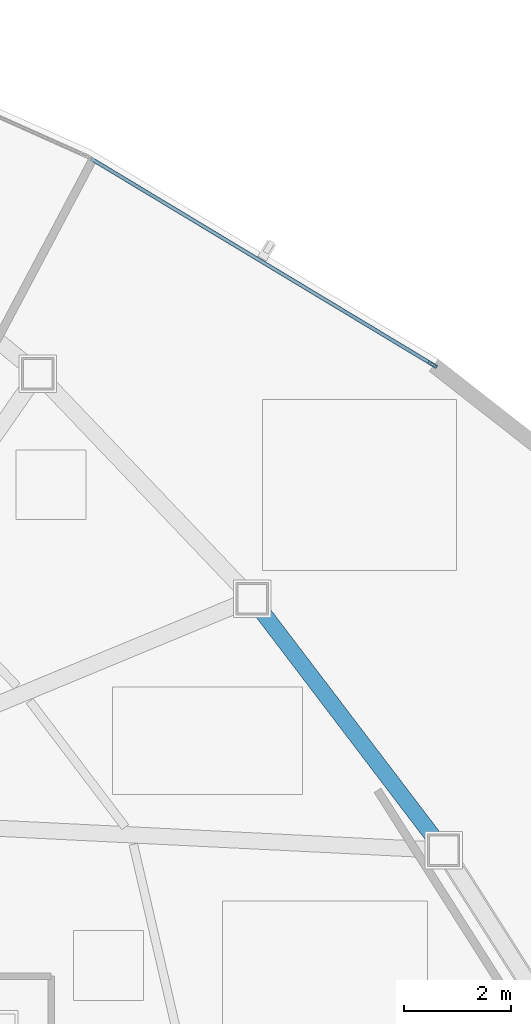
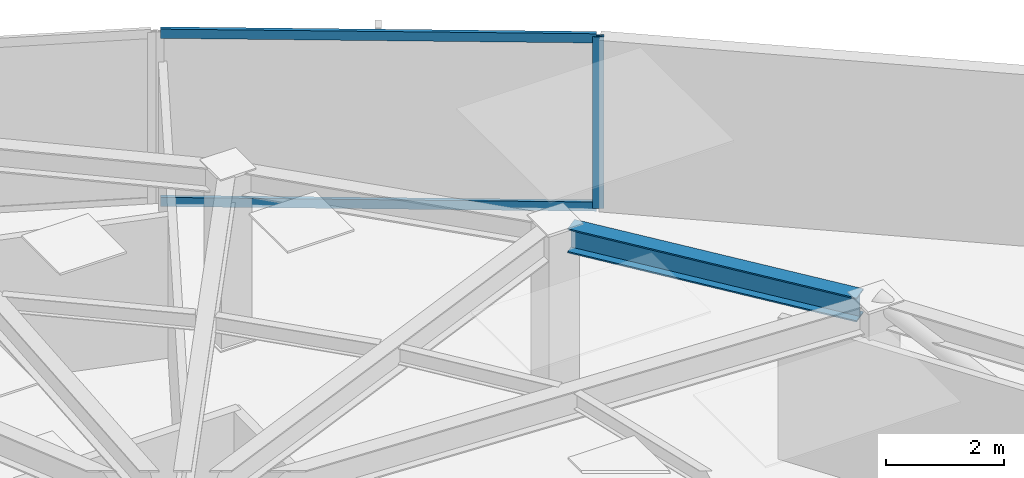
# One storey, part 9 of 17: 3 members, 1 beam, 1 element without a shape of its own.
"""IFC4 building model written with IfcOpenShell, lengths in metres."""

from ifc_helpers import new_model, si_unit, direction, frame, origin, origin_2d, place, context, subcontext, project, spatial, hollow_rectangle, i_section, extrude, source, transform, mapped, material, layer, layer_set, material_profile, profile_set, type_object, type_shapes, element, aggregate, save


model = new_model("IFC4")

# Units and contexts
model_context = context("Model", 3, precision=1e-05, world=origin(), true_north=direction((0.0, 1.0)))
body_context = subcontext(model_context, "Body", "Model", "MODEL_VIEW")
ifc_project = project(units=[si_unit("LENGTHUNIT", "METRE"), si_unit("AREAUNIT", "SQUARE_METRE"), si_unit("VOLUMEUNIT", "CUBIC_METRE"), si_unit("PLANEANGLEUNIT", "RADIAN"), si_unit("MASSUNIT", "GRAM", prefix="KILO")], contexts=[model_context])

# Site, building, storey
site_placement = place(None, origin())
site = spatial("IfcSite", under=ifc_project, at=site_placement, CompositionType="ELEMENT")
building_placement = place(site_placement, origin())
building = spatial("IfcBuilding", under=site, at=building_placement, Name="Tavelor Broadcast Tower", CompositionType="ELEMENT")
storey_placement = place(building_placement, frame((0.0, 0.0, 169.5)))
storey = spatial("IfcBuildingStorey", under=building, at=storey_placement, Name="L40", CompositionType="ELEMENT", Elevation=169.5)

# Beam
ifc_material_1 = material(Name="Steel S355", Category="steel")
ifc_material_profile_1 = material_profile(ifc_material_1, i_section(OverallWidth=0.300048828125, OverallDepth=0.5, WebThickness=0.014404296875, FlangeThickness=0.028076171875, at=origin_2d()), Name="HEB 500")
ifc_profile_set_1 = profile_set([ifc_material_profile_1], Name="Steel S355")
beam_type = type_object("IfcBeamType", Name="Perimeter Spandrel Beam T4 HEB 500", PredefinedType="SPANDREL", material=ifc_profile_set_1)
beam_placement = place(storey_placement, frame((69.711669921875, 50.7734375, 3.300048828125), z_axis=(-0.605502841959, 0.795843143075, 0.0), x_axis=(-0.795843143075, -0.605502841959, 0.0)))
element("IfcBeam", 1, at=beam_placement, inside=storey, type_object=beam_type, Name="L40 Framed-Tube Ring Spandrel 14", PredefinedType="SPANDREL", context=body_context, shape_type="SweptSolid", body=[
    extrude(i_section(OverallWidth=0.300048828125, OverallDepth=0.5, WebThickness=0.014404296875, FlangeThickness=0.028076171875, at=origin_2d()), origin(), (0.0, 0.0, 1.0), 5.310302734375),
])

# Curtain wall, members
ifc_material_2 = material(Name="Architectural Anodized Aluminium", Category="aluminium")
ifc_layer = layer(ifc_material_2, 0.18994140625)
ifc_layer_set = layer_set([ifc_layer], Name="Architectural Anodized Aluminium")
curtain_wall_type = type_object("IfcCurtainWallType", Name="Tower Mid-Zone Acoustic Curtain Wall CW03", PredefinedType="NOTDEFINED", material=ifc_layer_set)
curtain_wall_placement = place(storey_placement, origin())
curtain_wall = element("IfcCurtainWall", 2, at=curtain_wall_placement, inside=storey, type_object=curtain_wall_type, Name="L40 Curtain Wall CW03 Run 429", PredefinedType="NOTDEFINED")
ifc_material_profile_2 = material_profile(ifc_material_2, hollow_rectangle(XDim=0.068115234375, YDim=0.18994140625, WallThickness=0.02197265625, at=origin_2d()), Name="RHS 68x190x22")
ifc_profile_set_2 = profile_set([ifc_material_profile_2], Name="Architectural Anodized Aluminium")
member_type_1 = type_object("IfcMemberType", Name="CW03 Extruded Aluminium Mullion 68x190", PredefinedType="MULLION", material=ifc_profile_set_2)
shared_shape_1 = source(origin(), body_context, "Body", "SweptSolid", [
    extrude(hollow_rectangle(XDim=0.068115234375, YDim=0.18994140625, WallThickness=0.02197265625, at=origin_2d()), origin(), (0.0, 0.0, 1.0), 3.550048828125),
])
type_shapes(member_type_1, [shared_shape_1])
member_1_placement = place(storey_placement, frame((69.67919921875, 59.588623046875, 0.0), z_axis=(0.0, 0.0, 1.0), x_axis=(-0.516154335225, -0.856495593818, 0.0)))
member_1 = element("IfcMember", 3, at=member_1_placement, type_object=member_type_1, Name="CW03 mullion 1", PredefinedType="MULLION", context=body_context, shape_type="MappedRepresentation", body=[
    mapped(shared_shape_1, transform((0.0, 0.0, 0.0), scale=1.0)),
])
ifc_material_profile_3 = material_profile(ifc_material_2, hollow_rectangle(XDim=0.068115234375, YDim=0.18994140625, WallThickness=0.02197265625, at=origin_2d()), Name="RHS 68x190x22")
ifc_profile_set_3 = profile_set([ifc_material_profile_3], Name="Architectural Anodized Aluminium")
member_type_2 = type_object("IfcMemberType", Name="CW03 Extruded Aluminium Transom 68x190", PredefinedType="USERDEFINED", material=ifc_profile_set_3)
shared_shape_2 = source(origin(), body_context, "Body", "SweptSolid", [
    extrude(hollow_rectangle(XDim=0.068115234375, YDim=0.18994140625, WallThickness=0.02197265625, at=origin_2d()), origin(), (0.0, 0.0, 1.0), 7.387451171875),
])
type_shapes(member_type_2, [shared_shape_2])
member_2_placement = place(storey_placement, frame((69.650146484375, 59.606201171875, 0.033935546875), z_axis=(-0.856502821505, 0.516142341562, 0.0), x_axis=(-0.516142341562, -0.856502821505, 0.0)))
member_2 = element("IfcMember", 4, at=member_2_placement, type_object=member_type_2, Name="CW03 transom 1.1", ObjectType="TRANSOM", PredefinedType="USERDEFINED", context=body_context, shape_type="MappedRepresentation", body=[
    mapped(shared_shape_2, transform((0.0, 0.0, 0.0), scale=1.0)),
])
member_3_placement = place(storey_placement, frame((69.650146484375, 59.606201171875, 3.51611328125), z_axis=(-0.856502821505, 0.516142341562, 0.0), x_axis=(-0.516142341562, -0.856502821505, 0.0)))
member_3 = element("IfcMember", 5, at=member_3_placement, type_object=member_type_2, Name="CW03 transom 1.2", ObjectType="TRANSOM", PredefinedType="USERDEFINED", context=body_context, shape_type="MappedRepresentation", body=[
    mapped(shared_shape_2, transform((0.0, 0.0, 0.0), scale=1.0)),
])
aggregate(curtain_wall, [member_1, member_2, member_3])

save(model, "model.ifc")
